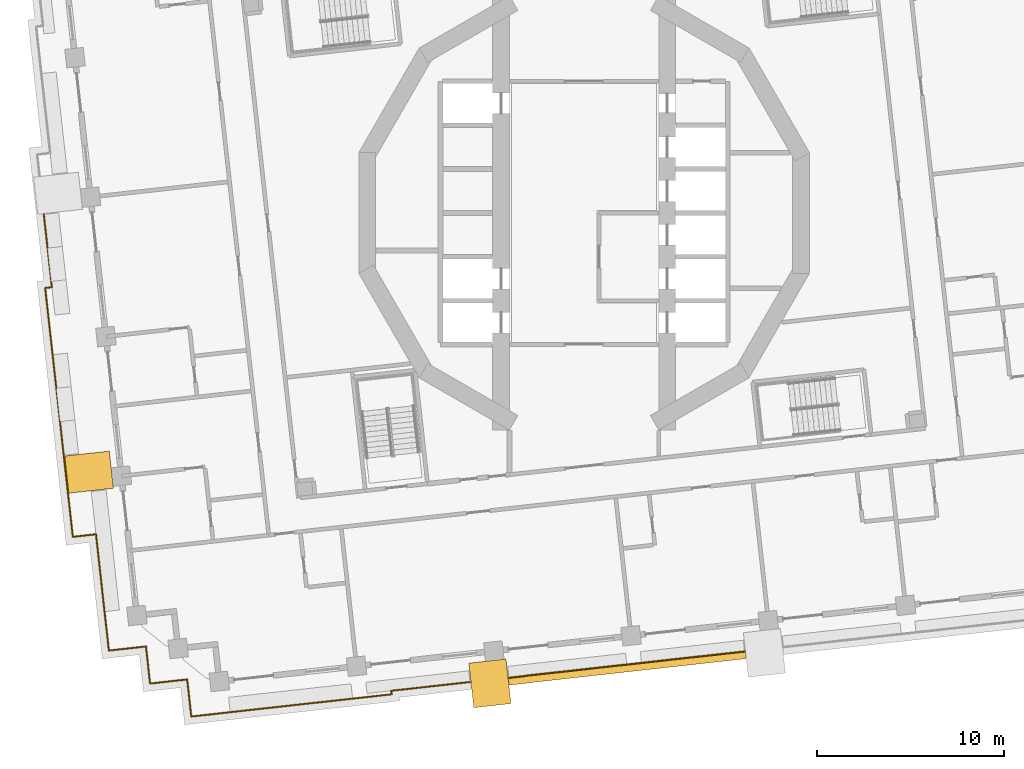
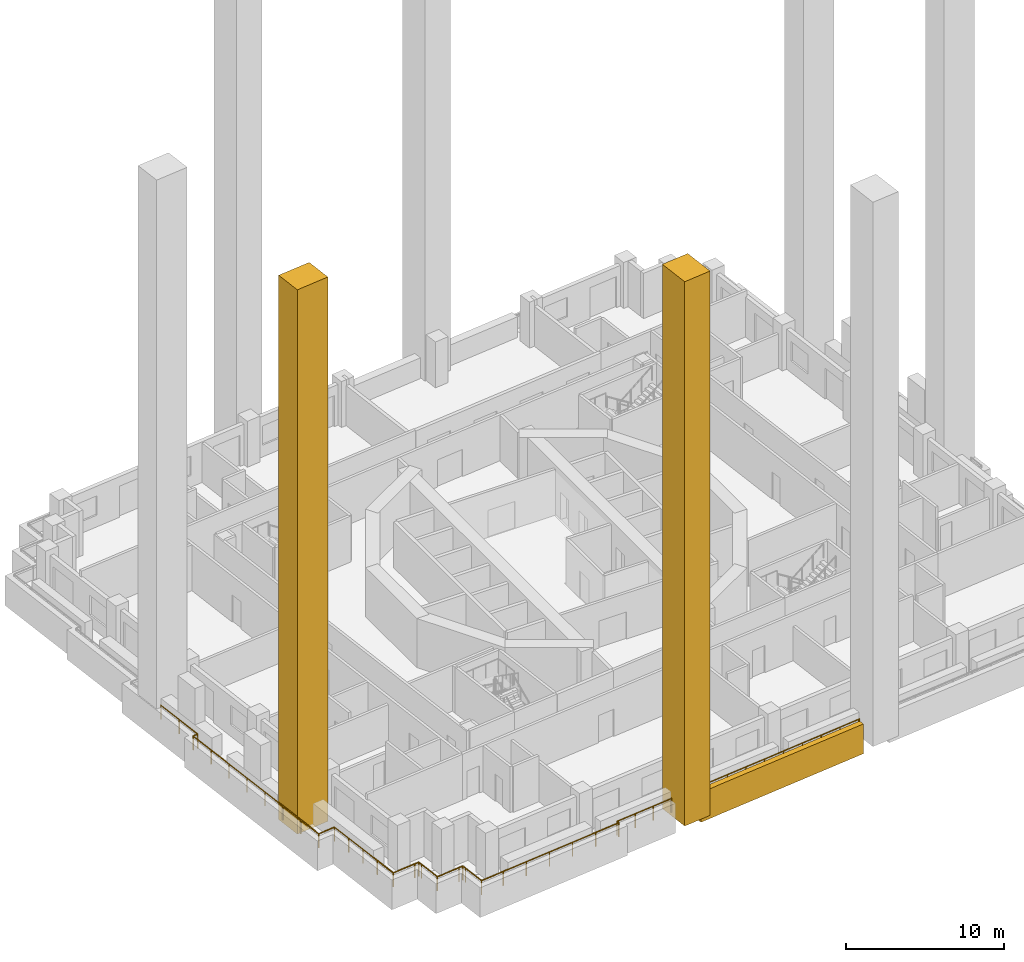
# One storey, part 11 of 20: 3 coverings, 3 railings.
"""IFC4 building model written with IfcOpenShell, lengths in metres."""

from ifc_helpers import new_model, si_unit, direction, frame, origin, origin_2d, place, context, subcontext, project, spatial, polyline, rectangle, circle, outline, extrude, material, type_object, element, save


model = new_model("IFC4")

# Units and contexts
model_context = context("Model", 3, precision=1e-05, world=origin(), true_north=direction((0.0, 1.0)))
body_context = subcontext(model_context, "Body", "Model", "MODEL_VIEW")
ifc_project = project(units=[si_unit("LENGTHUNIT", "METRE"), si_unit("AREAUNIT", "SQUARE_METRE"), si_unit("VOLUMEUNIT", "CUBIC_METRE"), si_unit("PLANEANGLEUNIT", "RADIAN"), si_unit("MASSUNIT", "GRAM", prefix="KILO")], contexts=[model_context])

# Site, building, storey
site_placement = place(None, origin())
site = spatial("IfcSite", under=ifc_project, at=site_placement, CompositionType="ELEMENT")
building_placement = place(site_placement, origin())
building = spatial("IfcBuilding", under=site, at=building_placement, Name="Cantera Rosa Tower", CompositionType="ELEMENT")
storey_placement = place(building_placement, frame((0.0, 0.0, 42.5)))
storey = spatial("IfcBuildingStorey", under=building, at=storey_placement, Name="L07", CompositionType="ELEMENT", Elevation=42.5)

# Railings
ifc_material_1 = material(Name="Stainless steel and laminated glass", Category="steel")
railing_type = type_object("IfcRailingType", Name="GUARD 1100", PredefinedType="BALUSTRADE", material=ifc_material_1)
railing_1_placement = place(storey_placement, frame((-25.46826171875, -23.45263671875, 0.0)))
element("IfcRailing", 1, at=railing_1_placement, inside=storey, type_object=railing_type, Name="GUARD L07-1", PredefinedType="BALUSTRADE", context=body_context, shape_type="SweptSolid", body=[
    extrude(circle(Radius=0.030029296875, at=origin_2d()), frame((0.0, 0.0, 1.070068359375), z_axis=(-0.110289669906, 0.993899486222, 0.0), x_axis=(-0.993899486222, -0.110289669906, 0.0)), (0.0, 0.0, 1.0), 1.699951171875),
    extrude(circle(Radius=0.030029296875, at=origin_2d()), frame((-0.1875, 1.689697265625, 1.070068359375), z_axis=(-0.110355311719, 0.993892199977, 0.0), x_axis=(-0.993892199977, -0.110355311719, 0.0)), (0.0, 0.0, 1.0), 4.570556640625),
    extrude(circle(Radius=0.030029296875, at=origin_2d()), frame((-0.69189453125, 6.232421875, 1.070068359375), z_axis=(-0.993886117565, -0.110410077944, 0.0), x_axis=(0.110410077944, -0.993886117565, 0.0)), (0.0, 0.0, 1.0), 1.249267578125),
    extrude(circle(Radius=0.030029296875, at=origin_2d()), frame((-1.93359375, 6.094482421875, 1.070068359375), z_axis=(-0.110309714757, 0.993897261708, 0.0), x_axis=(-0.993897261708, -0.110309714757, 0.0)), (0.0, 0.0, 1.0), 13.418701171875),
    extrude(circle(Radius=0.030029296875, at=origin_2d()), frame((-3.413818359375, 19.431396484375, 1.070068359375), z_axis=(0.993859025053, 0.110653686428, 0.0), x_axis=(-0.110653686428, 0.993859025053, 0.0)), (0.0, 0.0, 1.0), 0.36181640625),
    extrude(circle(Radius=0.030029296875, at=origin_2d()), frame((-3.05419921875, 19.471435546875, 1.070068359375), z_axis=(-0.11028192342, 0.993900345793, 0.0), x_axis=(-0.993900345793, -0.11028192342, 0.0)), (0.0, 0.0, 1.0), 3.9404296875),
    extrude(circle(Radius=0.02490234375, at=origin_2d()), origin(), (0.0, 0.0, 1.0), 1.0400390625),
    extrude(circle(Radius=0.02490234375, at=origin_2d()), frame((-0.1875, 1.689697265625, 0.0)), (0.0, 0.0, 1.0), 1.0400390625),
    extrude(circle(Radius=0.02490234375, at=origin_2d()), frame((-0.355712890625, 3.203857421875, 0.0)), (0.0, 0.0, 1.0), 1.0400390625),
    extrude(circle(Radius=0.02490234375, at=origin_2d()), frame((-0.523681640625, 4.71826171875, 0.0)), (0.0, 0.0, 1.0), 1.0400390625),
    extrude(circle(Radius=0.02490234375, at=origin_2d()), frame((-0.69189453125, 6.232421875, 0.0)), (0.0, 0.0, 1.0), 1.0400390625),
    extrude(circle(Radius=0.02490234375, at=origin_2d()), frame((-1.93359375, 6.094482421875, 0.0)), (0.0, 0.0, 1.0), 1.0400390625),
    extrude(circle(Radius=0.02490234375, at=origin_2d()), frame((-2.14501953125, 7.999755859375, 0.0)), (0.0, 0.0, 1.0), 1.0400390625),
    extrude(circle(Radius=0.02490234375, at=origin_2d()), frame((-2.3564453125, 9.905029296875, 0.0)), (0.0, 0.0, 1.0), 1.0400390625),
    extrude(circle(Radius=0.02490234375, at=origin_2d()), frame((-2.56787109375, 11.810302734375, 0.0)), (0.0, 0.0, 1.0), 1.0400390625),
    extrude(circle(Radius=0.02490234375, at=origin_2d()), frame((-2.779541015625, 13.715576171875, 0.0)), (0.0, 0.0, 1.0), 1.0400390625),
    extrude(circle(Radius=0.02490234375, at=origin_2d()), frame((-2.990966796875, 15.620849609375, 0.0)), (0.0, 0.0, 1.0), 1.0400390625),
    extrude(circle(Radius=0.02490234375, at=origin_2d()), frame((-3.202392578125, 17.526123046875, 0.0)), (0.0, 0.0, 1.0), 1.0400390625),
    extrude(circle(Radius=0.02490234375, at=origin_2d()), frame((-3.413818359375, 19.431396484375, 0.0)), (0.0, 0.0, 1.0), 1.0400390625),
    extrude(circle(Radius=0.02490234375, at=origin_2d()), frame((-3.05419921875, 19.471435546875, 0.0)), (0.0, 0.0, 1.0), 1.0400390625),
    extrude(circle(Radius=0.02490234375, at=origin_2d()), frame((-3.271484375, 21.4296875, 0.0)), (0.0, 0.0, 1.0), 1.0400390625),
    extrude(circle(Radius=0.02490234375, at=origin_2d()), frame((-3.48876953125, 23.387939453125, 0.0)), (0.0, 0.0, 1.0), 1.0400390625),
])
railing_2_placement = place(storey_placement, frame((-6.094482421875, -25.135498046875, 0.0)))
element("IfcRailing", 2, at=railing_2_placement, inside=storey, type_object=railing_type, Name="GUARD L07-2", PredefinedType="BALUSTRADE", context=body_context, shape_type="SweptSolid", body=[
    extrude(circle(Radius=0.030029296875, at=origin_2d()), frame((0.0, 0.0, 1.070068359375), z_axis=(-0.993892795835, -0.110349945117, 0.0), x_axis=(0.110349945117, -0.993892795835, 0.0)), (0.0, 0.0, 1.0), 4.27001953125),
    extrude(circle(Radius=0.030029296875, at=origin_2d()), frame((-4.243896484375, -0.47119140625, 1.070068359375), z_axis=(0.110431526075, -0.993883734674, 0.0), x_axis=(0.993883734674, 0.110431526075, 0.0)), (0.0, 0.0, 1.0), 0.190185546875),
    extrude(circle(Radius=0.030029296875, at=origin_2d()), frame((-4.222900390625, -0.66015625, 1.070068359375), z_axis=(-0.993899102511, -0.110293127745, 0.0), x_axis=(0.110293127745, -0.993899102511, 0.0)), (0.0, 0.0, 1.0), 9.099853515625),
    extrude(circle(Radius=0.030029296875, at=origin_2d()), frame((-13.267333984375, -1.663818359375, 1.070068359375), z_axis=(-0.993883734674, -0.110431526075, 0.0), x_axis=(0.110431526075, -0.993883734674, 0.0)), (0.0, 0.0, 1.0), 1.7001953125),
    extrude(circle(Radius=0.030029296875, at=origin_2d()), frame((-14.95703125, -1.8515625, 1.070068359375), z_axis=(-0.110289669906, 0.993899486222, 0.0), x_axis=(-0.993899486222, -0.110289669906, 0.0)), (0.0, 0.0, 1.0), 1.699951171875),
    extrude(circle(Radius=0.030029296875, at=origin_2d()), frame((-15.14453125, -0.161865234375, 1.070068359375), z_axis=(-0.110699535641, 0.99385391925, 0.0), x_axis=(-0.99385391925, -0.110699535641, 0.0)), (0.0, 0.0, 1.0), 0.300048828125),
    extrude(circle(Radius=0.030029296875, at=origin_2d()), frame((-15.177734375, 0.13623046875, 1.070068359375), z_axis=(-0.993943154022, -0.10989543472, 0.0), x_axis=(0.10989543472, -0.993943154022, 0.0)), (0.0, 0.0, 1.0), 0.2998046875),
    extrude(circle(Radius=0.030029296875, at=origin_2d()), frame((-15.475830078125, 0.103271484375, 1.070068359375), z_axis=(-0.993899486222, -0.110289669906, 0.0), x_axis=(0.110289669906, -0.993899486222, 0.0)), (0.0, 0.0, 1.0), 1.699951171875),
    extrude(circle(Radius=0.030029296875, at=origin_2d()), frame((-17.16552734375, -0.084228515625, 1.070068359375), z_axis=(-0.110305413813, 0.993897739047, 0.0), x_axis=(-0.993897739047, -0.110305413813, 0.0)), (0.0, 0.0, 1.0), 1.69970703125),
    extrude(circle(Radius=0.030029296875, at=origin_2d()), frame((-17.35302734375, 1.605224609375, 1.070068359375), z_axis=(-0.1098065887, 0.993952973273, 0.0), x_axis=(-0.993952973273, -0.1098065887, 0.0)), (0.0, 0.0, 1.0), 0.300048828125),
    extrude(circle(Radius=0.030029296875, at=origin_2d()), frame((-17.385986328125, 1.903564453125, 1.070068359375), z_axis=(-0.993863881828, -0.110610055588, 0.0), x_axis=(0.110610055588, -0.993863881828, 0.0)), (0.0, 0.0, 1.0), 0.30029296875),
    extrude(circle(Radius=0.030029296875, at=origin_2d()), frame((-17.684326171875, 1.870361328125, 1.070068359375), z_axis=(-0.993897739047, -0.110305413813, 0.0), x_axis=(0.110305413813, -0.993897739047, 0.0)), (0.0, 0.0, 1.0), 1.69970703125),
    extrude(circle(Radius=0.02490234375, at=origin_2d()), origin(), (0.0, 0.0, 1.0), 1.0400390625),
    extrude(circle(Radius=0.02490234375, at=origin_2d()), frame((-1.41455078125, -0.156982421875, 0.0)), (0.0, 0.0, 1.0), 1.0400390625),
    extrude(circle(Radius=0.02490234375, at=origin_2d()), frame((-2.829345703125, -0.314208984375, 0.0)), (0.0, 0.0, 1.0), 1.0400390625),
    extrude(circle(Radius=0.02490234375, at=origin_2d()), frame((-4.243896484375, -0.47119140625, 0.0)), (0.0, 0.0, 1.0), 1.0400390625),
    extrude(circle(Radius=0.02490234375, at=origin_2d()), frame((-4.222900390625, -0.66015625, 0.0)), (0.0, 0.0, 1.0), 1.0400390625),
    extrude(circle(Radius=0.02490234375, at=origin_2d()), frame((-6.03173828125, -0.86083984375, 0.0)), (0.0, 0.0, 1.0), 1.0400390625),
    extrude(circle(Radius=0.02490234375, at=origin_2d()), frame((-7.840576171875, -1.0615234375, 0.0)), (0.0, 0.0, 1.0), 1.0400390625),
    extrude(circle(Radius=0.02490234375, at=origin_2d()), frame((-9.649658203125, -1.262451171875, 0.0)), (0.0, 0.0, 1.0), 1.0400390625),
    extrude(circle(Radius=0.02490234375, at=origin_2d()), frame((-11.45849609375, -1.463134765625, 0.0)), (0.0, 0.0, 1.0), 1.0400390625),
    extrude(circle(Radius=0.02490234375, at=origin_2d()), frame((-13.267333984375, -1.663818359375, 0.0)), (0.0, 0.0, 1.0), 1.0400390625),
    extrude(circle(Radius=0.02490234375, at=origin_2d()), frame((-14.95703125, -1.8515625, 0.0)), (0.0, 0.0, 1.0), 1.0400390625),
    extrude(circle(Radius=0.02490234375, at=origin_2d()), frame((-15.14453125, -0.161865234375, 0.0)), (0.0, 0.0, 1.0), 1.0400390625),
    extrude(circle(Radius=0.02490234375, at=origin_2d()), frame((-15.177734375, 0.13623046875, 0.0)), (0.0, 0.0, 1.0), 1.0400390625),
    extrude(circle(Radius=0.02490234375, at=origin_2d()), frame((-15.475830078125, 0.103271484375, 0.0)), (0.0, 0.0, 1.0), 1.0400390625),
    extrude(circle(Radius=0.02490234375, at=origin_2d()), frame((-17.16552734375, -0.084228515625, 0.0)), (0.0, 0.0, 1.0), 1.0400390625),
    extrude(circle(Radius=0.02490234375, at=origin_2d()), frame((-17.35302734375, 1.605224609375, 0.0)), (0.0, 0.0, 1.0), 1.0400390625),
    extrude(circle(Radius=0.02490234375, at=origin_2d()), frame((-17.385986328125, 1.903564453125, 0.0)), (0.0, 0.0, 1.0), 1.0400390625),
    extrude(circle(Radius=0.02490234375, at=origin_2d()), frame((-17.684326171875, 1.870361328125, 0.0)), (0.0, 0.0, 1.0), 1.0400390625),
    extrude(circle(Radius=0.02490234375, at=origin_2d()), frame((-19.373779296875, 1.682861328125, 0.0)), (0.0, 0.0, 1.0), 1.0400390625),
])
railing_3_placement = place(storey_placement, frame((8.6142578125, -23.4931640625, 0.0)))
element("IfcRailing", 3, at=railing_3_placement, inside=storey, type_object=railing_type, Name="GUARD L07-6", PredefinedType="BALUSTRADE", context=body_context, shape_type="SweptSolid", body=[
    extrude(circle(Radius=0.030029296875, at=origin_2d()), frame((0.0, 0.0, 1.070068359375), z_axis=(-0.994136314057, -0.108134125389, 0.0), x_axis=(0.108134125389, -0.994136314057, 0.0)), (0.0, 0.0, 1.0), 0.070068359375),
    extrude(circle(Radius=0.030029296875, at=origin_2d()), frame((-0.069580078125, -0.007568359375, 1.070068359375), z_axis=(-0.993891851654, -0.110358448777, 0.0), x_axis=(0.110358448777, -0.993891851654, 0.0)), (0.0, 0.0, 1.0), 4.400146484375),
    extrude(circle(Radius=0.030029296875, at=origin_2d()), frame((-4.44287109375, -0.4931640625, 1.070068359375), z_axis=(-0.993901585709, -0.110270748271, 0.0), x_axis=(0.110270748271, -0.993901585709, 0.0)), (0.0, 0.0, 1.0), 3.0),
    extrude(circle(Radius=0.030029296875, at=origin_2d()), frame((-7.424560546875, -0.823974609375, 1.070068359375), z_axis=(-0.993894580964, -0.110333865747, 0.0), x_axis=(0.110333865747, -0.993894580964, 0.0)), (0.0, 0.0, 1.0), 4.39013671875),
    extrude(circle(Radius=0.030029296875, at=origin_2d()), frame((-11.787841796875, -1.308349609375, 1.070068359375), z_axis=(0.099503719021, -0.99503719021, 0.0), x_axis=(0.99503719021, 0.099503719021, 0.0)), (0.0, 0.0, 1.0), 0.009765625),
    extrude(circle(Radius=0.030029296875, at=origin_2d()), frame((-11.786865234375, -1.318115234375, 1.070068359375), z_axis=(-0.993914151413, -0.110157431075, 0.0), x_axis=(0.110157431075, -0.993914151413, 0.0)), (0.0, 0.0, 1.0), 0.8798828125),
    extrude(circle(Radius=0.02490234375, at=origin_2d()), origin(), (0.0, 0.0, 1.0), 1.0400390625),
    extrude(circle(Radius=0.02490234375, at=origin_2d()), frame((-0.069580078125, -0.007568359375, 0.0)), (0.0, 0.0, 1.0), 1.0400390625),
    extrude(circle(Radius=0.02490234375, at=origin_2d()), frame((-1.52734375, -0.16943359375, 0.0)), (0.0, 0.0, 1.0), 1.0400390625),
    extrude(circle(Radius=0.02490234375, at=origin_2d()), frame((-2.985107421875, -0.331298828125, 0.0)), (0.0, 0.0, 1.0), 1.0400390625),
    extrude(circle(Radius=0.02490234375, at=origin_2d()), frame((-4.44287109375, -0.4931640625, 0.0)), (0.0, 0.0, 1.0), 1.0400390625),
    extrude(circle(Radius=0.02490234375, at=origin_2d()), frame((-5.93359375, -0.65869140625, 0.0)), (0.0, 0.0, 1.0), 1.0400390625),
    extrude(circle(Radius=0.02490234375, at=origin_2d()), frame((-7.424560546875, -0.823974609375, 0.0)), (0.0, 0.0, 1.0), 1.0400390625),
    extrude(circle(Radius=0.02490234375, at=origin_2d()), frame((-8.87890625, -0.9853515625, 0.0)), (0.0, 0.0, 1.0), 1.0400390625),
    extrude(circle(Radius=0.02490234375, at=origin_2d()), frame((-10.33349609375, -1.14697265625, 0.0)), (0.0, 0.0, 1.0), 1.0400390625),
    extrude(circle(Radius=0.02490234375, at=origin_2d()), frame((-11.787841796875, -1.308349609375, 0.0)), (0.0, 0.0, 1.0), 1.0400390625),
    extrude(circle(Radius=0.02490234375, at=origin_2d()), frame((-11.786865234375, -1.318115234375, 0.0)), (0.0, 0.0, 1.0), 1.0400390625),
    extrude(circle(Radius=0.02490234375, at=origin_2d()), frame((-12.661376953125, -1.4150390625, 0.0)), (0.0, 0.0, 1.0), 1.0400390625),
])

# Coverings
ifc_material_2 = material(Name="Cantera stone", Category="masonry")
covering_type_1 = type_object("IfcCoveringType", Name="STONE FIN 2000x2400", PredefinedType="CLADDING", material=ifc_material_2)
for number, where, z_axis, x_axis, name in (
    (4, (-5.0498046875, -25.2109375, -0.300048828125), (0.0, 0.0, 1.0), (0.993896946415, 0.110312555526, 0.0), "STONE FIN FN-Z1-05"),
    (5, (-26.529541015625, -13.891357421875, -0.300048828125), (0.0, 0.0, 1.0), (0.110312555526, -0.993896946415, 0.0), "STONE FIN FN-Z1-08"),
):
    element("IfcCovering", number, at=place(storey_placement, frame(where, z_axis=z_axis, x_axis=x_axis)), inside=storey, type_object=covering_type_1, Name=name, PredefinedType="CLADDING", context=body_context, shape_type="SweptSolid", body=[
        extrude(rectangle(XDim=2.0, YDim=2.39990234375, at=origin_2d()), origin(), (0.0, 0.0, 1.0), 42.10009765625),
    ])
ifc_material_3 = material(Name="Cantera stone", Category="masonry")
covering_type_2 = type_object("IfcCoveringType", Name="TRAY FASCIA 400", PredefinedType="CLADDING", material=ifc_material_3)
covering_placement = place(storey_placement, frame((0.0, 0.0, -1.39990234375)))
element("IfcCovering", 6, at=covering_placement, inside=storey, type_object=covering_type_2, Name="TRAY FASCIA L07-03", PredefinedType="CLADDING", context=body_context, shape_type="SweptSolid", body=[
    extrude(outline(polyline([(8.588623046875, -23.8984375), (4.215576171875, -24.3837890625), (1.23388671875, -24.71484375), (-2.73193359375, -25.15478515625), (-2.73095703125, -25.16455078125), (-4.022705078125, -25.30810546875), (-4.06689453125, -24.910400390625), (-3.172607421875, -24.811279296875), (-3.173583984375, -24.801513671875), (1.189697265625, -24.317138671875), (4.17138671875, -23.986328125), (8.544677734375, -23.500732421875), (8.634033203125, -23.490966796875), (8.67822265625, -23.888427734375), (8.588623046875, -23.8984375)])), origin(), (0.0, 0.0, 1.0), 2.2998046875),
])

save(model, "model.ifc")
